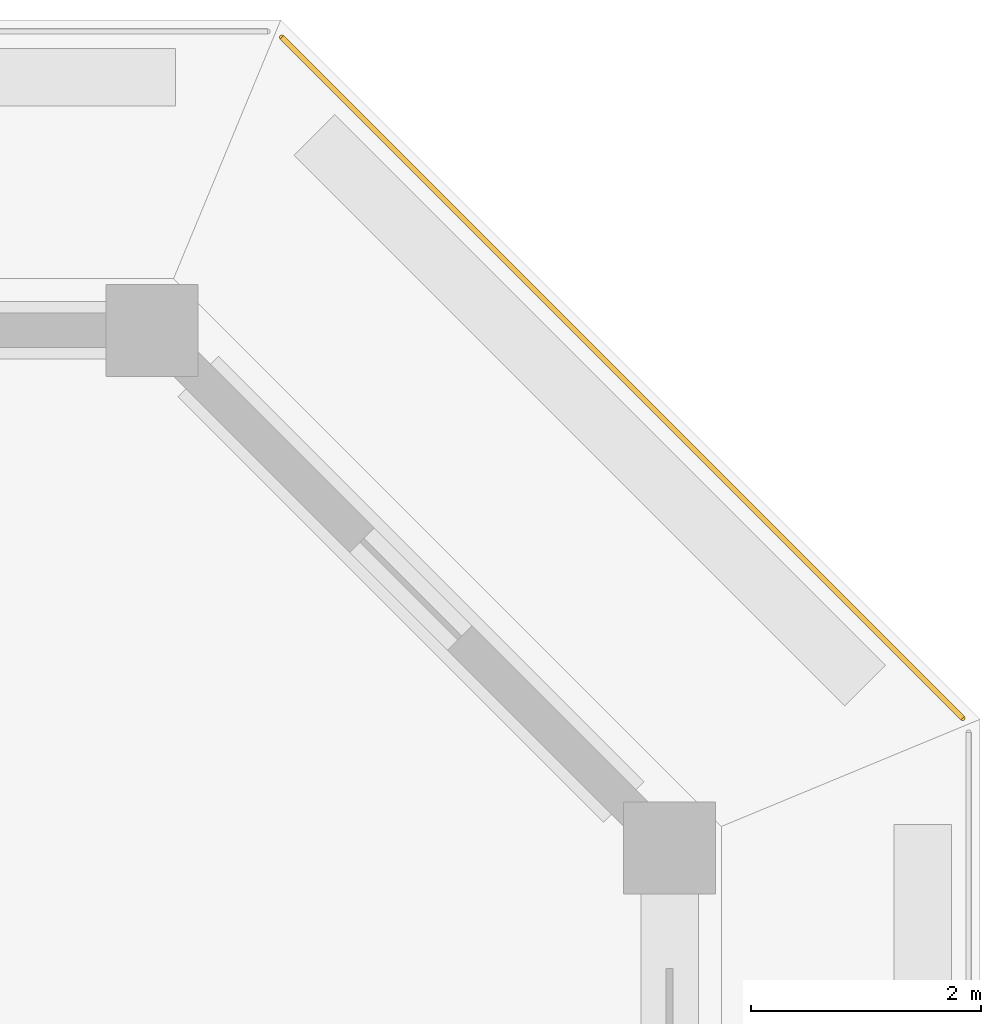
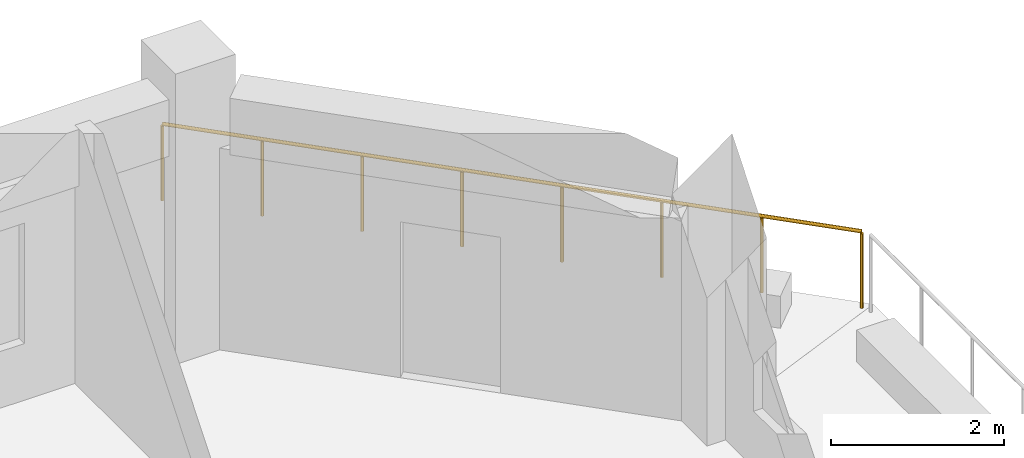
# One storey, part 16 of 17: 1 railing.
"""IFC4 building model written with IfcOpenShell, lengths in metres."""

from ifc_helpers import new_model, si_unit, direction, frame, origin, origin_2d, place, context, subcontext, project, spatial, circle, extrude, material, type_object, element, save


model = new_model("IFC4")

# Units and contexts
model_context = context("Model", 3, precision=1e-05, world=origin(), true_north=direction((0.0, 1.0)))
body_context = subcontext(model_context, "Body", "Model", "MODEL_VIEW")
ifc_project = project(units=[si_unit("LENGTHUNIT", "METRE"), si_unit("AREAUNIT", "SQUARE_METRE"), si_unit("VOLUMEUNIT", "CUBIC_METRE"), si_unit("PLANEANGLEUNIT", "RADIAN"), si_unit("MASSUNIT", "GRAM", prefix="KILO")], contexts=[model_context])

# Site, building, storey
site_placement = place(None, origin())
site = spatial("IfcSite", under=ifc_project, at=site_placement, CompositionType="ELEMENT")
building_placement = place(site_placement, origin())
building = spatial("IfcBuilding", under=site, at=building_placement, Name="Corbel Stack Research Tower", CompositionType="ELEMENT")
storey_placement = place(building_placement, frame((0.0, 0.0, 235.699951171875)))
storey = spatial("IfcBuildingStorey", under=building, at=storey_placement, Name="L53", CompositionType="ELEMENT", Elevation=235.699951171875)

# Railing
ifc_material = material(Name="Powder-coated steel guard", Category="steel")
railing_type = type_object("IfcRailingType", Name="Steel and glass guard 1100", PredefinedType="GUARDRAIL", material=ifc_material)
railing_placement = place(storey_placement, frame((29.54931640625, 28.127685546875, 0.0)))
element("IfcRailing", 1, at=railing_placement, inside=storey, type_object=railing_type, Name="Loggia guard L53 NE", PredefinedType="GUARDRAIL", context=body_context, shape_type="SweptSolid", body=[
    extrude(circle(Radius=0.02392578125, at=origin_2d()), frame((0.0, 0.0, 1.076171875), z_axis=(-0.707106781187, 0.707106781187, 0.0), x_axis=(-0.707106781187, -0.707106781187, 0.0)), (0.0, 0.0, 1.0), 8.37451171875),
    extrude(circle(Radius=0.02099609375, at=origin_2d()), origin(), (0.0, 0.0, 1.0), 1.052001953125),
    extrude(circle(Radius=0.02099609375, at=origin_2d()), frame((-0.845947265625, 0.845947265625, 0.0)), (0.0, 0.0, 1.0), 1.052001953125),
    extrude(circle(Radius=0.02099609375, at=origin_2d()), frame((-1.69189453125, 1.69189453125, 0.0)), (0.0, 0.0, 1.0), 1.052001953125),
    extrude(circle(Radius=0.02099609375, at=origin_2d()), frame((-2.537841796875, 2.537841796875, 0.0)), (0.0, 0.0, 1.0), 1.052001953125),
    extrude(circle(Radius=0.02099609375, at=origin_2d()), frame((-3.3837890625, 3.3837890625, 0.0)), (0.0, 0.0, 1.0), 1.052001953125),
    extrude(circle(Radius=0.02099609375, at=origin_2d()), frame((-4.229736328125, 4.229736328125, 0.0)), (0.0, 0.0, 1.0), 1.052001953125),
    extrude(circle(Radius=0.02099609375, at=origin_2d()), frame((-5.07568359375, 5.07568359375, 0.0)), (0.0, 0.0, 1.0), 1.052001953125),
    extrude(circle(Radius=0.02099609375, at=origin_2d()), frame((-5.921630859375, 5.921630859375, 0.0)), (0.0, 0.0, 1.0), 1.052001953125),
])

save(model, "model.ifc")
